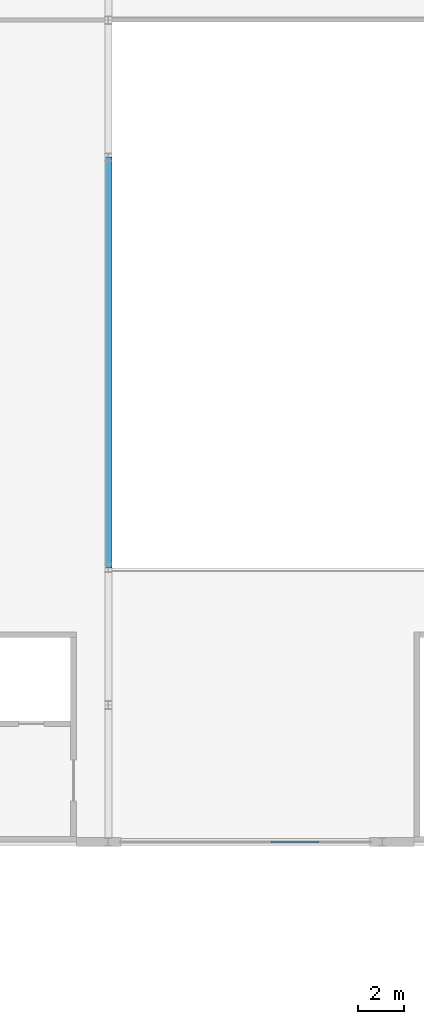
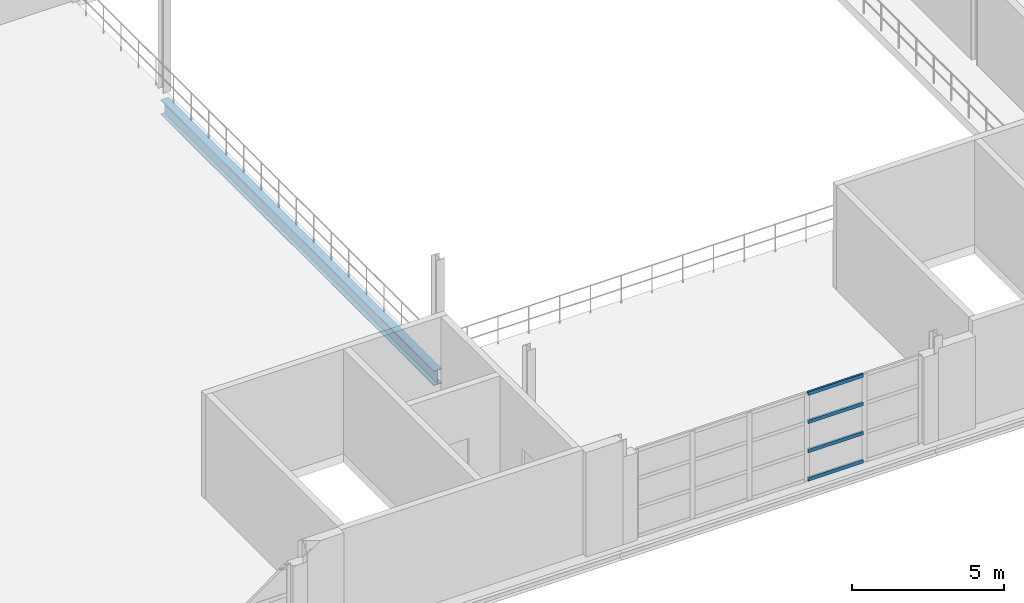
# One storey, part 35 of 147: 4 members, 1 beam, 1 element without a shape of its own.
"""IFC4 building model written with IfcOpenShell, lengths in metres."""

from ifc_helpers import new_model, si_unit, direction, frame, origin, origin_2d, place, context, subcontext, project, spatial, hollow_rectangle, i_section, extrude, material, layer, layer_set, material_profile, profile_set, type_object, element, aggregate, save


model = new_model("IFC4")

# Units and contexts
model_context = context("Model", 3, precision=1e-05, world=origin(), true_north=direction((0.0, 1.0)))
body_context = subcontext(model_context, "Body", "Model", "MODEL_VIEW")
ifc_project = project(units=[si_unit("LENGTHUNIT", "METRE"), si_unit("AREAUNIT", "SQUARE_METRE"), si_unit("VOLUMEUNIT", "CUBIC_METRE"), si_unit("PLANEANGLEUNIT", "RADIAN"), si_unit("MASSUNIT", "GRAM", prefix="KILO")], contexts=[model_context])

# Site, building, storey
site_placement = place(None, origin())
site = spatial("IfcSite", under=ifc_project, at=site_placement, CompositionType="ELEMENT")
building_placement = place(site_placement, origin())
building = spatial("IfcBuilding", under=site, at=building_placement, Name="Zilviju Railside Exhibition Hall", CompositionType="ELEMENT")
storey_placement = place(building_placement, frame((0.0, 0.0, 8.39990234375)))
storey = spatial("IfcBuildingStorey", under=building, at=storey_placement, Name="L03", CompositionType="ELEMENT", Elevation=8.39990234375)

# Beam
ifc_material_1 = material(Name="Steel S355J2", Category="steel")
ifc_material_profile_1 = material_profile(ifc_material_1, i_section(OverallWidth=0.300048828125, OverallDepth=0.60009765625, WebThickness=0.015380859375, FlangeThickness=0.030029296875, at=origin_2d()), Name="HEB 600")
ifc_profile_set_1 = profile_set([ifc_material_profile_1], Name="Steel S355J2")
beam_type = type_object("IfcBeamType", Name="BM-HEB600", PredefinedType="BEAM", material=ifc_profile_set_1)
beam_placement = place(storey_placement, frame((24.0, 48.0, -0.64990234375), z_axis=(0.0, 1.0, 0.0), x_axis=(-1.0, 0.0, 0.0)))
element("IfcBeam", 1, at=beam_placement, inside=storey, type_object=beam_type, Name="Transverse Girder L03 X=24.0 (48.0..66.0)", PredefinedType="BEAM", context=body_context, shape_type="SweptSolid", body=[
    extrude(i_section(OverallWidth=0.300048828125, OverallDepth=0.60009765625, WebThickness=0.015380859375, FlangeThickness=0.030029296875, at=origin_2d()), origin(), (0.0, 0.0, 1.0), 18.0),
])

# Curtain wall, members
ifc_material_2 = material(Name="Thermally broken aluminium-steel triple-glazed curtain wall", Category="steel")
ifc_layer = layer(ifc_material_2, 0.179931640625)
ifc_layer_set = layer_set([ifc_layer], Name="Thermally broken aluminium-steel triple-glazed curtain wall")
curtain_wall_type = type_object("IfcCurtainWallType", Name="CW-BAY-01", PredefinedType="USERDEFINED", material=ifc_layer_set)
curtain_wall_placement = place(storey_placement, origin())
curtain_wall = element("IfcCurtainWall", 2, at=curtain_wall_placement, inside=storey, type_object=curtain_wall_type, Name="Congress Forecourt Curtain Wall L03 (24..36)", ObjectType="GLAZED CURTAIN WALL", PredefinedType="USERDEFINED")
ifc_material_3 = material(Name="Thermally broken anodized aluminium transom", Category="aluminium")
ifc_material_profile_2 = material_profile(ifc_material_3, hollow_rectangle(XDim=0.074951171875, YDim=0.139892578125, WallThickness=0.0048828125, at=origin_2d()), Name="TRANSOM 140x75x5")
ifc_profile_set_2 = profile_set([ifc_material_profile_2], Name="Thermally broken anodized aluminium transom")
member_type = type_object("IfcMemberType", Name="CWT-75x140", PredefinedType="USERDEFINED", material=ifc_profile_set_2)
member_1_placement = place(storey_placement, frame((33.232421875, 36.0, 0.03759765625), z_axis=(-1.0, 0.0, 0.0), x_axis=(0.0, -1.0, 0.0)))
member_1 = element("IfcMember", 3, at=member_1_placement, type_object=member_type, Name="CW-01 transom 2.1", ObjectType="TRANSOM", PredefinedType="USERDEFINED", context=body_context, shape_type="SweptSolid", body=[
    extrude(hollow_rectangle(XDim=0.074951171875, YDim=0.139892578125, WallThickness=0.0048828125, at=origin_2d()), origin(), (0.0, 0.0, 1.0), 2.10498046875),
])
member_2_placement = place(storey_placement, frame((33.232421875, 36.0, 1.173095703125), z_axis=(-1.0, 0.0, 0.0), x_axis=(0.0, -1.0, 0.0)))
member_2 = element("IfcMember", 4, at=member_2_placement, type_object=member_type, Name="CW-01 transom 2.2", ObjectType="TRANSOM", PredefinedType="USERDEFINED", context=body_context, shape_type="SweptSolid", body=[
    extrude(hollow_rectangle(XDim=0.074951171875, YDim=0.139892578125, WallThickness=0.0048828125, at=origin_2d()), origin(), (0.0, 0.0, 1.0), 2.10498046875),
])
member_3_placement = place(storey_placement, frame((33.232421875, 36.0, 2.34716796875), z_axis=(-1.0, 0.0, 0.0), x_axis=(0.0, -1.0, 0.0)))
member_3 = element("IfcMember", 5, at=member_3_placement, type_object=member_type, Name="CW-01 transom 2.3", ObjectType="TRANSOM", PredefinedType="USERDEFINED", context=body_context, shape_type="SweptSolid", body=[
    extrude(hollow_rectangle(XDim=0.074951171875, YDim=0.139892578125, WallThickness=0.0048828125, at=origin_2d()), origin(), (0.0, 0.0, 1.0), 2.10498046875),
])
member_4_placement = place(storey_placement, frame((33.232421875, 36.0, 3.482666015625), z_axis=(-1.0, 0.0, 0.0), x_axis=(0.0, -1.0, 0.0)))
member_4 = element("IfcMember", 6, at=member_4_placement, type_object=member_type, Name="CW-01 transom 2.4", ObjectType="TRANSOM", PredefinedType="USERDEFINED", context=body_context, shape_type="SweptSolid", body=[
    extrude(hollow_rectangle(XDim=0.074951171875, YDim=0.139892578125, WallThickness=0.0048828125, at=origin_2d()), origin(), (0.0, 0.0, 1.0), 2.10498046875),
])
aggregate(curtain_wall, [member_1, member_2, member_3, member_4])

save(model, "model.ifc")
